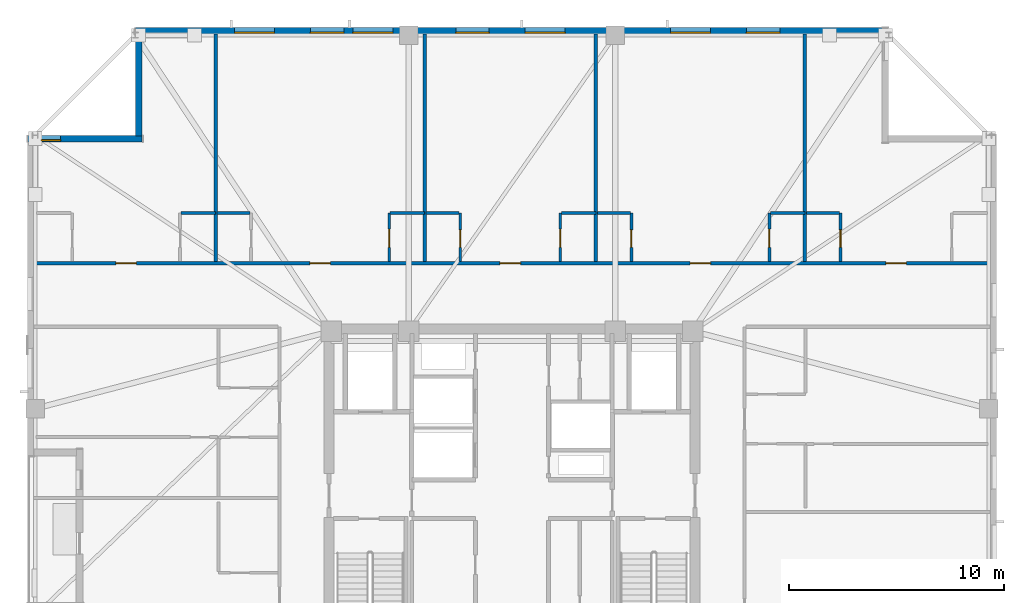
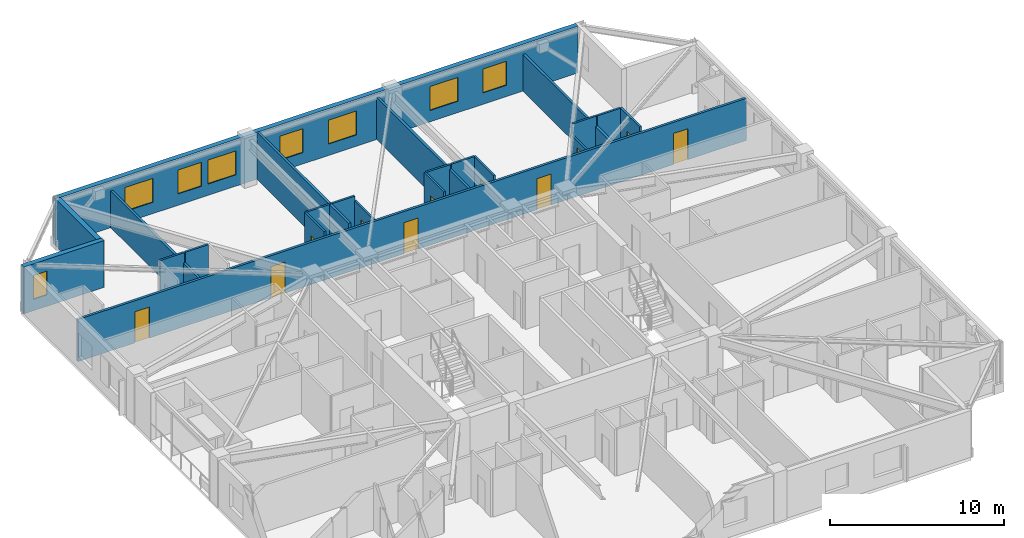
# One storey, part 11 of 17: 22 walls, 11 doors, 8 windows, 19 openings.
"""IFC4 building model written with IfcOpenShell, lengths in metres."""

from ifc_helpers import new_model, si_unit, direction, frame, frame_2d, origin, place, context, subcontext, project, spatial, rectangle, extrude, material, layer, layer_set, type_object, element, fill, save


model = new_model("IFC4")

# Units and contexts
model_context = context("Model", 3, precision=1e-05, world=origin(), true_north=direction((0.0, 1.0)))
body_context = subcontext(model_context, "Body", "Model", "MODEL_VIEW")
ifc_project = project(units=[si_unit("LENGTHUNIT", "METRE"), si_unit("AREAUNIT", "SQUARE_METRE"), si_unit("VOLUMEUNIT", "CUBIC_METRE"), si_unit("PLANEANGLEUNIT", "RADIAN"), si_unit("MASSUNIT", "GRAM", prefix="KILO")], contexts=[model_context])

# Site, building, storey
site_placement = place(None, origin())
site = spatial("IfcSite", under=ifc_project, at=site_placement, CompositionType="ELEMENT")
building_placement = place(site_placement, origin())
building = spatial("IfcBuilding", under=site, at=building_placement, Name="Cairnveth Concourse Tower", CompositionType="ELEMENT")
storey_placement = place(building_placement, frame((0.0, 0.0, 237.5)))
storey = spatial("IfcBuildingStorey", under=building, at=storey_placement, Name="L65", CompositionType="ELEMENT", Elevation=237.5)

# Wall, openings, doors
ifc_material_1 = material(Name="Gypsum Plasterboard Partition", Category="gypsum")
ifc_layer_1 = layer(ifc_material_1, 0.159912109375)
ifc_layer_set_1 = layer_set([ifc_layer_1], Name="Gypsum Plasterboard Partition")
wall_type_1 = type_object("IfcWallType", Name="ACOUSTIC PARTY WALL 180", PredefinedType="PARTITIONING", material=ifc_layer_set_1)
wall_1_placement = place(storey_placement, frame((29.804931640625, 50.5576171875, 0.0), z_axis=(0.0, 0.0, 1.0), x_axis=(1.0, 0.0, 0.0)))
wall_1 = element("IfcWall", 1, at=wall_1_placement, inside=storey, type_object=wall_type_1, Name="Interior Wall IW-L65-037", PredefinedType="PARTITIONING", context=body_context, shape_type="SweptSolid", body=[
    extrude(rectangle(XDim=44.39013671875, YDim=0.159912109375, at=frame_2d((22.195068359375, 0.0))), origin(), (0.0, 0.0, 1.0), 2.9580078125),
])
opening_1_placement = place(wall_1_placement, frame((3.791015625, 0.0, 0.0)))
opening_1 = element("IfcOpeningElement", 2, at=opening_1_placement, cuts=wall_1, Name="Opening ID10", PredefinedType="OPENING", context=body_context, shape_type="SweptSolid", body=[
    extrude(rectangle(XDim=0.9599609375, YDim=2.179931640625, at=frame_2d((0.47998046875, 1.08984375))), frame((0.0, 0.08984375, 0.0), z_axis=(0.0, -1.0, 0.0), x_axis=(1.0, 0.0, 0.0)), (0.0, 0.0, 1.0), 0.179931640625),
])
opening_2_placement = place(wall_1_placement, frame((12.802978515625, 0.0, 0.0)))
opening_2 = element("IfcOpeningElement", 3, at=opening_2_placement, cuts=wall_1, Name="Opening ID10", PredefinedType="OPENING", context=body_context, shape_type="SweptSolid", body=[
    extrude(rectangle(XDim=0.9599609375, YDim=2.179931640625, at=frame_2d((0.47998046875, 1.08984375))), frame((0.0, 0.08984375, 0.0), z_axis=(0.0, -1.0, 0.0), x_axis=(1.0, 0.0, 0.0)), (0.0, 0.0, 1.0), 0.179931640625),
])
opening_3_placement = place(wall_1_placement, frame((21.635009765625, 0.0, 0.0)))
opening_3 = element("IfcOpeningElement", 4, at=opening_3_placement, cuts=wall_1, Name="Opening ID10", PredefinedType="OPENING", context=body_context, shape_type="SweptSolid", body=[
    extrude(rectangle(XDim=0.9599609375, YDim=2.179931640625, at=frame_2d((0.47998046875, 1.08984375))), frame((0.0, 0.08984375, 0.0), z_axis=(0.0, -1.0, 0.0), x_axis=(1.0, 0.0, 0.0)), (0.0, 0.0, 1.0), 0.179931640625),
])
opening_4_placement = place(wall_1_placement, frame((30.467041015625, 0.0, 0.0)))
opening_4 = element("IfcOpeningElement", 5, at=opening_4_placement, cuts=wall_1, Name="Opening ID10", PredefinedType="OPENING", context=body_context, shape_type="SweptSolid", body=[
    extrude(rectangle(XDim=0.9599609375, YDim=2.179931640625, at=frame_2d((0.47998046875, 1.08984375))), frame((0.0, 0.08984375, 0.0), z_axis=(0.0, -1.0, 0.0), x_axis=(1.0, 0.0, 0.0)), (0.0, 0.0, 1.0), 0.179931640625),
])
opening_5_placement = place(wall_1_placement, frame((39.55908203125, 0.0, 0.0)))
opening_5 = element("IfcOpeningElement", 6, at=opening_5_placement, cuts=wall_1, Name="Opening ID10", PredefinedType="OPENING", context=body_context, shape_type="SweptSolid", body=[
    extrude(rectangle(XDim=0.9599609375, YDim=2.179931640625, at=frame_2d((0.47998046875, 1.08984375))), frame((0.0, 0.08984375, 0.0), z_axis=(0.0, -1.0, 0.0), x_axis=(1.0, 0.0, 0.0)), (0.0, 0.0, 1.0), 0.179931640625),
])
ifc_material_2 = material(Name="Solid Core Hardwood Timber Leaf", Category="wood")
door_type_1 = type_object("IfcDoorType", Name="FLAT ENTRANCE DOOR 960X2150", OperationType="NOTDEFINED", PredefinedType="DOOR", material=ifc_material_2)
door_1_placement = place(opening_1_placement, origin())
door_1 = element("IfcDoor", 7, at=door_1_placement, inside=storey, type_object=door_type_1, Name="Studio L65STN1 Entrance Door", OperationType="SINGLE_SWING_LEFT", OverallHeight=2.179931640625, OverallWidth=0.9599609375, PredefinedType="DOOR", context=body_context, shape_type="SweptSolid", body=[
    extrude(rectangle(XDim=0.9599609375, YDim=2.179931640625, at=frame_2d((0.47998046875, 1.08984375))), frame((0.0, 0.02490234375, 0.0), z_axis=(0.0, -1.0, 0.0), x_axis=(1.0, 0.0, 0.0)), (0.0, 0.0, 1.0), 0.050048828125),
])
fill(opening_1, door_1)
door_2_placement = place(opening_2_placement, origin())
door_2 = element("IfcDoor", 8, at=door_2_placement, inside=storey, type_object=door_type_1, Name="Studio L65STN2 Entrance Door", OperationType="SINGLE_SWING_RIGHT", OverallHeight=2.179931640625, OverallWidth=0.9599609375, PredefinedType="DOOR", context=body_context, shape_type="SweptSolid", body=[
    extrude(rectangle(XDim=0.9599609375, YDim=2.179931640625, at=frame_2d((0.47998046875, 1.08984375))), frame((0.0, 0.02490234375, 0.0), z_axis=(0.0, -1.0, 0.0), x_axis=(1.0, 0.0, 0.0)), (0.0, 0.0, 1.0), 0.050048828125),
])
fill(opening_2, door_2)
door_3_placement = place(opening_3_placement, origin())
door_3 = element("IfcDoor", 9, at=door_3_placement, inside=storey, type_object=door_type_1, Name="Studio L65STN3 Entrance Door", OperationType="SINGLE_SWING_LEFT", OverallHeight=2.179931640625, OverallWidth=0.9599609375, PredefinedType="DOOR", context=body_context, shape_type="SweptSolid", body=[
    extrude(rectangle(XDim=0.9599609375, YDim=2.179931640625, at=frame_2d((0.47998046875, 1.08984375))), frame((0.0, 0.02490234375, 0.0), z_axis=(0.0, -1.0, 0.0), x_axis=(1.0, 0.0, 0.0)), (0.0, 0.0, 1.0), 0.050048828125),
])
fill(opening_3, door_3)
door_4_placement = place(opening_4_placement, origin())
door_4 = element("IfcDoor", 10, at=door_4_placement, inside=storey, type_object=door_type_1, Name="Studio L65STN4 Entrance Door", OperationType="SINGLE_SWING_RIGHT", OverallHeight=2.179931640625, OverallWidth=0.9599609375, PredefinedType="DOOR", context=body_context, shape_type="SweptSolid", body=[
    extrude(rectangle(XDim=0.9599609375, YDim=2.179931640625, at=frame_2d((0.47998046875, 1.08984375))), frame((0.0, 0.02490234375, 0.0), z_axis=(0.0, -1.0, 0.0), x_axis=(1.0, 0.0, 0.0)), (0.0, 0.0, 1.0), 0.050048828125),
])
fill(opening_4, door_4)
door_5_placement = place(opening_5_placement, origin())
door_5 = element("IfcDoor", 11, at=door_5_placement, inside=storey, type_object=door_type_1, Name="Studio L65STN5 Entrance Door", OperationType="SINGLE_SWING_LEFT", OverallHeight=2.179931640625, OverallWidth=0.9599609375, PredefinedType="DOOR", context=body_context, shape_type="SweptSolid", body=[
    extrude(rectangle(XDim=0.9599609375, YDim=2.179931640625, at=frame_2d((0.47998046875, 1.08984375))), frame((0.0, 0.02490234375, 0.0), z_axis=(0.0, -1.0, 0.0), x_axis=(1.0, 0.0, 0.0)), (0.0, 0.0, 1.0), 0.050048828125),
])
fill(opening_5, door_5)

# Walls
wall_2_placement = place(storey_placement, frame((38.23193359375, 50.637451171875, 0.0), z_axis=(0.0, 0.0, 1.0), x_axis=(0.0, 1.0, 0.0)))
element("IfcWall", 12, at=wall_2_placement, inside=storey, type_object=wall_type_1, Name="Interior Wall IW-L65-077", PredefinedType="PARTITIONING", context=body_context, shape_type="SweptSolid", body=[
    extrude(rectangle(XDim=10.5576171875, YDim=0.159912109375, at=frame_2d((5.27880859375, 0.0))), origin(), (0.0, 0.0, 1.0), 2.572998046875),
])
wall_3_placement = place(storey_placement, frame((47.944091796875, 50.637451171875, 0.0), z_axis=(0.0, 0.0, 1.0), x_axis=(0.0, 1.0, 0.0)))
element("IfcWall", 13, at=wall_3_placement, inside=storey, type_object=wall_type_1, Name="Interior Wall IW-L65-082", PredefinedType="PARTITIONING", context=body_context, shape_type="SweptSolid", body=[
    extrude(rectangle(XDim=10.5576171875, YDim=0.159912109375, at=frame_2d((5.27880859375, 0.0))), origin(), (0.0, 0.0, 1.0), 3.2900390625),
])
wall_4_placement = place(storey_placement, frame((55.89599609375, 50.637451171875, 0.0), z_axis=(0.0, 0.0, 1.0), x_axis=(0.0, 1.0, 0.0)))
element("IfcWall", 14, at=wall_4_placement, inside=storey, type_object=wall_type_1, Name="Interior Wall IW-L65-087", PredefinedType="PARTITIONING", context=body_context, shape_type="SweptSolid", body=[
    extrude(rectangle(XDim=10.5576171875, YDim=0.159912109375, at=frame_2d((5.27880859375, 0.0))), origin(), (0.0, 0.0, 1.0), 2.9580078125),
])
wall_5_placement = place(storey_placement, frame((65.60791015625, 50.637451171875, 0.0), z_axis=(0.0, 0.0, 1.0), x_axis=(0.0, 1.0, 0.0)))
element("IfcWall", 15, at=wall_5_placement, inside=storey, type_object=wall_type_1, Name="Interior Wall IW-L65-092", PredefinedType="PARTITIONING", context=body_context, shape_type="SweptSolid", body=[
    extrude(rectangle(XDim=10.5576171875, YDim=0.159912109375, at=frame_2d((5.27880859375, 0.0))), origin(), (0.0, 0.0, 1.0), 2.572998046875),
])
ifc_layer_2 = layer(ifc_material_1, 0.1298828125)
ifc_layer_set_2 = layer_set([ifc_layer_2], Name="Gypsum Plasterboard Partition")
wall_type_2 = type_object("IfcWallType", Name="WET AREA PARTITION 140", PredefinedType="PLUMBINGWALL", material=ifc_layer_set_2)
wall_6_placement = place(storey_placement, frame((36.632080078125, 52.887451171875, 0.0), z_axis=(0.0, 0.0, 1.0), x_axis=(1.0, 0.0, 0.0)))
element("IfcWall", 16, at=wall_6_placement, inside=storey, type_object=wall_type_2, Name="Interior Wall IW-L65-076", PredefinedType="PLUMBINGWALL", context=body_context, shape_type="SweptSolid", body=[
    extrude(rectangle(XDim=1.599853515625, YDim=0.1298828125, at=frame_2d((0.7998046875, 0.0))), origin(), (0.0, 0.0, 1.0), 3.2900390625),
])
wall_7_placement = place(storey_placement, frame((38.297119140625, 52.887451171875, 0.0), z_axis=(0.0, 0.0, 1.0), x_axis=(1.0, 0.0, 0.0)))
element("IfcWall", 17, at=wall_7_placement, inside=storey, type_object=wall_type_2, Name="Interior Wall IW-L65-079", PredefinedType="PLUMBINGWALL", context=body_context, shape_type="SweptSolid", body=[
    extrude(rectangle(XDim=1.534912109375, YDim=0.1298828125, at=frame_2d((0.767578125, 0.0))), origin(), (0.0, 0.0, 1.0), 3.2900390625),
])

# Wall, opening, door
wall_8_placement = place(storey_placement, frame((46.2939453125, 50.637451171875, 0.0), z_axis=(0.0, 0.0, 1.0), x_axis=(0.0, 1.0, 0.0)))
wall_8 = element("IfcWall", 18, at=wall_8_placement, inside=storey, type_object=wall_type_2, Name="Interior Wall IW-L65-080", PredefinedType="PLUMBINGWALL", context=body_context, shape_type="SweptSolid", body=[
    extrude(rectangle(XDim=2.25, YDim=0.1298828125, at=frame_2d((1.125, 0.0))), origin(), (0.0, 0.0, 1.0), 3.2900390625),
])
opening_6_placement = place(wall_8_placement, frame((0.64990234375, 0.0, 0.0)))
opening_6 = element("IfcOpeningElement", 19, at=opening_6_placement, cuts=wall_8, Name="Opening ID20", PredefinedType="OPENING", context=body_context, shape_type="SweptSolid", body=[
    extrude(rectangle(XDim=0.85009765625, YDim=2.10009765625, at=frame_2d((0.425048828125, 1.050048828125))), frame((0.0, 0.074951171875, 0.0), z_axis=(0.0, -1.0, 0.0), x_axis=(1.0, 0.0, 0.0)), (0.0, 0.0, 1.0), 0.14990234375),
])
door_type_2 = type_object("IfcDoorType", Name="INTERIOR SINGLE DOOR 850X2100", OperationType="NOTDEFINED", PredefinedType="DOOR", material=ifc_material_2)
door_6_placement = place(opening_6_placement, origin())
door_6 = element("IfcDoor", 20, at=door_6_placement, inside=storey, type_object=door_type_2, Name="L65STN2 Kitchen Door", OperationType="SINGLE_SWING_LEFT", OverallHeight=2.10009765625, OverallWidth=0.85009765625, PredefinedType="DOOR", context=body_context, shape_type="SweptSolid", body=[
    extrude(rectangle(XDim=0.85009765625, YDim=2.10009765625, at=frame_2d((0.425048828125, 1.050048828125))), frame((0.0, 0.02490234375, 0.0), z_axis=(0.0, -1.0, 0.0), x_axis=(1.0, 0.0, 0.0)), (0.0, 0.0, 1.0), 0.050048828125),
])
fill(opening_6, door_6)

# Wall
wall_9_placement = place(storey_placement, frame((46.343994140625, 52.887451171875, 0.0), z_axis=(0.0, 0.0, 1.0), x_axis=(1.0, 0.0, 0.0)))
element("IfcWall", 21, at=wall_9_placement, inside=storey, type_object=wall_type_2, Name="Interior Wall IW-L65-081", PredefinedType="PLUMBINGWALL", context=body_context, shape_type="SweptSolid", body=[
    extrude(rectangle(XDim=1.60009765625, YDim=0.1298828125, at=frame_2d((0.800048828125, 0.0))), origin(), (0.0, 0.0, 1.0), 3.2900390625),
])

# Wall, opening, door
wall_10_placement = place(storey_placement, frame((49.593994140625, 50.637451171875, 0.0), z_axis=(0.0, 0.0, 1.0), x_axis=(0.0, 1.0, 0.0)))
wall_10 = element("IfcWall", 22, at=wall_10_placement, inside=storey, type_object=wall_type_2, Name="Interior Wall IW-L65-083", PredefinedType="PLUMBINGWALL", context=body_context, shape_type="SweptSolid", body=[
    extrude(rectangle(XDim=2.25, YDim=0.1298828125, at=frame_2d((1.125, 0.0))), origin(), (0.0, 0.0, 1.0), 2.9580078125),
])
opening_7_placement = place(wall_10_placement, frame((0.64990234375, 0.0, 0.0)))
opening_7 = element("IfcOpeningElement", 23, at=opening_7_placement, cuts=wall_10, Name="Opening ID22", PredefinedType="OPENING", context=body_context, shape_type="SweptSolid", body=[
    extrude(rectangle(XDim=0.820068359375, YDim=2.10009765625, at=frame_2d((0.41015625, 1.050048828125))), frame((0.0, 0.074951171875, 0.0), z_axis=(0.0, -1.0, 0.0), x_axis=(1.0, 0.0, 0.0)), (0.0, 0.0, 1.0), 0.14990234375),
])
door_type_3 = type_object("IfcDoorType", Name="INTERIOR WC DOOR 820X2100", OperationType="NOTDEFINED", PredefinedType="DOOR", material=ifc_material_2)
door_7_placement = place(opening_7_placement, origin())
door_7 = element("IfcDoor", 24, at=door_7_placement, inside=storey, type_object=door_type_3, Name="L65STN3 Bathroom Door", OperationType="SINGLE_SWING_LEFT", OverallHeight=2.10009765625, OverallWidth=0.820068359375, PredefinedType="DOOR", context=body_context, shape_type="SweptSolid", body=[
    extrude(rectangle(XDim=0.820068359375, YDim=2.10009765625, at=frame_2d((0.41015625, 1.050048828125))), frame((0.0, 0.02490234375, 0.0), z_axis=(0.0, -1.0, 0.0), x_axis=(1.0, 0.0, 0.0)), (0.0, 0.0, 1.0), 0.050048828125),
])
fill(opening_7, door_7)

# Wall
wall_11_placement = place(storey_placement, frame((48.009033203125, 52.887451171875, 0.0), z_axis=(0.0, 0.0, 1.0), x_axis=(1.0, 0.0, 0.0)))
element("IfcWall", 25, at=wall_11_placement, inside=storey, type_object=wall_type_2, Name="Interior Wall IW-L65-084", PredefinedType="PLUMBINGWALL", context=body_context, shape_type="SweptSolid", body=[
    extrude(rectangle(XDim=1.534912109375, YDim=0.1298828125, at=frame_2d((0.767578125, 0.0))), origin(), (0.0, 0.0, 1.0), 3.2900390625),
])

# Wall, opening, door
wall_12_placement = place(storey_placement, frame((54.24609375, 50.637451171875, 0.0), z_axis=(0.0, 0.0, 1.0), x_axis=(0.0, 1.0, 0.0)))
wall_12 = element("IfcWall", 26, at=wall_12_placement, inside=storey, type_object=wall_type_2, Name="Interior Wall IW-L65-085", PredefinedType="PLUMBINGWALL", context=body_context, shape_type="SweptSolid", body=[
    extrude(rectangle(XDim=2.25, YDim=0.1298828125, at=frame_2d((1.125, 0.0))), origin(), (0.0, 0.0, 1.0), 3.2900390625),
])
opening_8_placement = place(wall_12_placement, frame((0.64990234375, 0.0, 0.0)))
opening_8 = element("IfcOpeningElement", 27, at=opening_8_placement, cuts=wall_12, Name="Opening ID20", PredefinedType="OPENING", context=body_context, shape_type="SweptSolid", body=[
    extrude(rectangle(XDim=0.85009765625, YDim=2.10009765625, at=frame_2d((0.425048828125, 1.050048828125))), frame((0.0, 0.074951171875, 0.0), z_axis=(0.0, -1.0, 0.0), x_axis=(1.0, 0.0, 0.0)), (0.0, 0.0, 1.0), 0.14990234375),
])
door_8_placement = place(opening_8_placement, origin())
door_8 = element("IfcDoor", 28, at=door_8_placement, inside=storey, type_object=door_type_2, Name="L65STN3 Kitchen Door", OperationType="SINGLE_SWING_RIGHT", OverallHeight=2.10009765625, OverallWidth=0.85009765625, PredefinedType="DOOR", context=body_context, shape_type="SweptSolid", body=[
    extrude(rectangle(XDim=0.85009765625, YDim=2.10009765625, at=frame_2d((0.425048828125, 1.050048828125))), frame((0.0, 0.02490234375, 0.0), z_axis=(0.0, -1.0, 0.0), x_axis=(1.0, 0.0, 0.0)), (0.0, 0.0, 1.0), 0.050048828125),
])
fill(opening_8, door_8)

# Wall
wall_13_placement = place(storey_placement, frame((54.2958984375, 52.887451171875, 0.0), z_axis=(0.0, 0.0, 1.0), x_axis=(1.0, 0.0, 0.0)))
element("IfcWall", 29, at=wall_13_placement, inside=storey, type_object=wall_type_2, Name="Interior Wall IW-L65-086", PredefinedType="PLUMBINGWALL", context=body_context, shape_type="SweptSolid", body=[
    extrude(rectangle(XDim=1.60009765625, YDim=0.1298828125, at=frame_2d((0.800048828125, 0.0))), origin(), (0.0, 0.0, 1.0), 3.2900390625),
])

# Wall, opening, door
wall_14_placement = place(storey_placement, frame((57.5458984375, 50.637451171875, 0.0), z_axis=(0.0, 0.0, 1.0), x_axis=(0.0, 1.0, 0.0)))
wall_14 = element("IfcWall", 30, at=wall_14_placement, inside=storey, type_object=wall_type_2, Name="Interior Wall IW-L65-088", PredefinedType="PLUMBINGWALL", context=body_context, shape_type="SweptSolid", body=[
    extrude(rectangle(XDim=2.25, YDim=0.1298828125, at=frame_2d((1.125, 0.0))), origin(), (0.0, 0.0, 1.0), 3.2900390625),
])
opening_9_placement = place(wall_14_placement, frame((0.64990234375, 0.0, 0.0)))
opening_9 = element("IfcOpeningElement", 31, at=opening_9_placement, cuts=wall_14, Name="Opening ID22", PredefinedType="OPENING", context=body_context, shape_type="SweptSolid", body=[
    extrude(rectangle(XDim=0.820068359375, YDim=2.10009765625, at=frame_2d((0.41015625, 1.050048828125))), frame((0.0, 0.074951171875, 0.0), z_axis=(0.0, -1.0, 0.0), x_axis=(1.0, 0.0, 0.0)), (0.0, 0.0, 1.0), 0.14990234375),
])
door_9_placement = place(opening_9_placement, origin())
door_9 = element("IfcDoor", 32, at=door_9_placement, inside=storey, type_object=door_type_3, Name="L65STN4 Bathroom Door", OperationType="SINGLE_SWING_RIGHT", OverallHeight=2.10009765625, OverallWidth=0.820068359375, PredefinedType="DOOR", context=body_context, shape_type="SweptSolid", body=[
    extrude(rectangle(XDim=0.820068359375, YDim=2.10009765625, at=frame_2d((0.41015625, 1.050048828125))), frame((0.0, 0.02490234375, 0.0), z_axis=(0.0, -1.0, 0.0), x_axis=(1.0, 0.0, 0.0)), (0.0, 0.0, 1.0), 0.050048828125),
])
fill(opening_9, door_9)

# Wall
wall_15_placement = place(storey_placement, frame((55.9609375, 52.887451171875, 0.0), z_axis=(0.0, 0.0, 1.0), x_axis=(1.0, 0.0, 0.0)))
element("IfcWall", 33, at=wall_15_placement, inside=storey, type_object=wall_type_2, Name="Interior Wall IW-L65-089", PredefinedType="PLUMBINGWALL", context=body_context, shape_type="SweptSolid", body=[
    extrude(rectangle(XDim=1.53515625, YDim=0.1298828125, at=frame_2d((0.767578125, 0.0))), origin(), (0.0, 0.0, 1.0), 3.2900390625),
])

# Wall, opening, door
wall_16_placement = place(storey_placement, frame((63.9580078125, 50.637451171875, 0.0), z_axis=(0.0, 0.0, 1.0), x_axis=(0.0, 1.0, 0.0)))
wall_16 = element("IfcWall", 34, at=wall_16_placement, inside=storey, type_object=wall_type_2, Name="Interior Wall IW-L65-090", PredefinedType="PLUMBINGWALL", context=body_context, shape_type="SweptSolid", body=[
    extrude(rectangle(XDim=2.25, YDim=0.1298828125, at=frame_2d((1.125, 0.0))), origin(), (0.0, 0.0, 1.0), 2.572998046875),
])
opening_10_placement = place(wall_16_placement, frame((0.64990234375, 0.0, 0.0)))
opening_10 = element("IfcOpeningElement", 35, at=opening_10_placement, cuts=wall_16, Name="Opening ID20", PredefinedType="OPENING", context=body_context, shape_type="SweptSolid", body=[
    extrude(rectangle(XDim=0.85009765625, YDim=2.10009765625, at=frame_2d((0.425048828125, 1.050048828125))), frame((0.0, 0.074951171875, 0.0), z_axis=(0.0, -1.0, 0.0), x_axis=(1.0, 0.0, 0.0)), (0.0, 0.0, 1.0), 0.14990234375),
])
door_10_placement = place(opening_10_placement, origin())
door_10 = element("IfcDoor", 36, at=door_10_placement, inside=storey, type_object=door_type_2, Name="L65STN4 Kitchen Door", OperationType="SINGLE_SWING_LEFT", OverallHeight=2.10009765625, OverallWidth=0.85009765625, PredefinedType="DOOR", context=body_context, shape_type="SweptSolid", body=[
    extrude(rectangle(XDim=0.85009765625, YDim=2.10009765625, at=frame_2d((0.425048828125, 1.050048828125))), frame((0.0, 0.02490234375, 0.0), z_axis=(0.0, -1.0, 0.0), x_axis=(1.0, 0.0, 0.0)), (0.0, 0.0, 1.0), 0.050048828125),
])
fill(opening_10, door_10)

# Wall
wall_17_placement = place(storey_placement, frame((64.008056640625, 52.887451171875, 0.0), z_axis=(0.0, 0.0, 1.0), x_axis=(1.0, 0.0, 0.0)))
element("IfcWall", 37, at=wall_17_placement, inside=storey, type_object=wall_type_2, Name="Interior Wall IW-L65-091", PredefinedType="PLUMBINGWALL", context=body_context, shape_type="SweptSolid", body=[
    extrude(rectangle(XDim=1.599853515625, YDim=0.1298828125, at=frame_2d((0.7998046875, 0.0))), origin(), (0.0, 0.0, 1.0), 3.2900390625),
])

# Wall, opening, door
wall_18_placement = place(storey_placement, frame((67.258056640625, 50.637451171875, 0.0), z_axis=(0.0, 0.0, 1.0), x_axis=(0.0, 1.0, 0.0)))
wall_18 = element("IfcWall", 38, at=wall_18_placement, inside=storey, type_object=wall_type_2, Name="Interior Wall IW-L65-093", PredefinedType="PLUMBINGWALL", context=body_context, shape_type="SweptSolid", body=[
    extrude(rectangle(XDim=2.25, YDim=0.1298828125, at=frame_2d((1.125, 0.0))), origin(), (0.0, 0.0, 1.0), 3.2900390625),
])
opening_11_placement = place(wall_18_placement, frame((0.64990234375, 0.0, 0.0)))
opening_11 = element("IfcOpeningElement", 39, at=opening_11_placement, cuts=wall_18, Name="Opening ID22", PredefinedType="OPENING", context=body_context, shape_type="SweptSolid", body=[
    extrude(rectangle(XDim=0.820068359375, YDim=2.10009765625, at=frame_2d((0.41015625, 1.050048828125))), frame((0.0, 0.074951171875, 0.0), z_axis=(0.0, -1.0, 0.0), x_axis=(1.0, 0.0, 0.0)), (0.0, 0.0, 1.0), 0.14990234375),
])
door_11_placement = place(opening_11_placement, origin())
door_11 = element("IfcDoor", 40, at=door_11_placement, inside=storey, type_object=door_type_3, Name="L65STN5 Bathroom Door", OperationType="SINGLE_SWING_LEFT", OverallHeight=2.10009765625, OverallWidth=0.820068359375, PredefinedType="DOOR", context=body_context, shape_type="SweptSolid", body=[
    extrude(rectangle(XDim=0.820068359375, YDim=2.10009765625, at=frame_2d((0.41015625, 1.050048828125))), frame((0.0, 0.02490234375, 0.0), z_axis=(0.0, -1.0, 0.0), x_axis=(1.0, 0.0, 0.0)), (0.0, 0.0, 1.0), 0.050048828125),
])
fill(opening_11, door_11)

# Wall
wall_19_placement = place(storey_placement, frame((65.673095703125, 52.887451171875, 0.0), z_axis=(0.0, 0.0, 1.0), x_axis=(1.0, 0.0, 0.0)))
element("IfcWall", 41, at=wall_19_placement, inside=storey, type_object=wall_type_2, Name="Interior Wall IW-L65-094", PredefinedType="PLUMBINGWALL", context=body_context, shape_type="SweptSolid", body=[
    extrude(rectangle(XDim=1.534912109375, YDim=0.1298828125, at=frame_2d((0.767578125, 0.0))), origin(), (0.0, 0.0, 1.0), 3.2900390625),
])

# Wall, opening, window
ifc_material_3 = material(Name="Melbourne Buff Fired Clay Brick Masonry", Category="masonry")
ifc_layer_3 = layer(ifc_material_3, 0.320068359375)
ifc_layer_set_3 = layer_set([ifc_layer_3], Name="Melbourne Buff Fired Clay Brick Masonry")
wall_type_3 = type_object("IfcWallType", Name="ZONE 3 BRICK PIER SPANDREL WALL 320", PredefinedType="SOLIDWALL", material=ifc_layer_set_3)
wall_20_placement = place(storey_placement, frame((29.5, 56.340087890625, 0.0), z_axis=(0.0, 0.0, 1.0), x_axis=(1.0, 0.0, 0.0)))
wall_20 = element("IfcWall", 42, at=wall_20_placement, inside=storey, type_object=wall_type_3, Name="Exterior Wall EW-L65-S01", PredefinedType="SOLIDWALL", context=body_context, shape_type="SweptSolid", body=[
    extrude(rectangle(XDim=5.320068359375, YDim=0.320068359375, at=frame_2d((2.66015625, 0.0))), origin(), (0.0, 0.0, 1.0), 3.2900390625),
])
opening_12_placement = place(wall_20_placement, frame((0.6298828125, 0.0, 0.800048828125)))
opening_12 = element("IfcOpeningElement", 43, at=opening_12_placement, cuts=wall_20, Name="Opening W13", PredefinedType="OPENING", context=body_context, shape_type="SweptSolid", body=[
    extrude(rectangle(XDim=0.89990234375, YDim=1.677978515625, at=frame_2d((0.449951171875, 0.8388671875))), frame((0.0, 0.169921875, 0.0), z_axis=(0.0, -1.0, 0.0), x_axis=(1.0, 0.0, 0.0)), (0.0, 0.0, 1.0), 0.340087890625),
])
ifc_material_4 = material(Name="Double Glazed Low-E Clear Glass", Category="glass")
window_type_1 = type_object("IfcWindowType", Name="DEEP-SET BEDROOM LANCET WINDOW 900X1750", PartitioningType="DOUBLE_PANEL_VERTICAL", PredefinedType="WINDOW", material=ifc_material_4)
window_1_placement = place(opening_12_placement, origin())
window_1 = element("IfcWindow", 44, at=window_1_placement, inside=storey, type_object=window_type_1, Name="Dwelling Lancet Window L65-DW3", OverallHeight=1.677978515625, OverallWidth=0.89990234375, PartitioningType="SINGLE_PANEL", PredefinedType="WINDOW", context=body_context, shape_type="SweptSolid", body=[
    extrude(rectangle(XDim=0.89990234375, YDim=1.677978515625, at=frame_2d((0.449951171875, 0.8388671875))), frame((0.0, -0.0400390625, 0.0), z_axis=(0.0, -1.0, 0.0), x_axis=(1.0, 0.0, 0.0)), (0.0, 0.0, 1.0), 0.06005859375),
])
fill(opening_12, window_1)

# Wall
wall_21_placement = place(storey_placement, frame((34.659912109375, 56.47802734375, 0.0), z_axis=(0.0, 0.0, 1.0), x_axis=(0.0, 1.0, 0.0)))
element("IfcWall", 45, at=wall_21_placement, inside=storey, type_object=wall_type_3, Name="Exterior Wall EW-L65-S02", PredefinedType="SOLIDWALL", context=body_context, shape_type="SweptSolid", body=[
    extrude(rectangle(XDim=4.723876953125, YDim=0.320068359375, at=frame_2d((2.36181640625, 0.0))), origin(), (0.0, 0.0, 1.0), 3.2900390625),
])

# Wall, openings, windows
wall_22_placement = place(storey_placement, frame((34.5, 61.340087890625, 0.0), z_axis=(0.0, 0.0, 1.0), x_axis=(1.0, 0.0, 0.0)))
wall_22 = element("IfcWall", 46, at=wall_22_placement, inside=storey, type_object=wall_type_3, Name="Exterior Wall EW-L65-S03", PredefinedType="SOLIDWALL", context=body_context, shape_type="SweptSolid", body=[
    extrude(rectangle(XDim=34.701904296875, YDim=0.320068359375, at=frame_2d((17.35107421875, 0.0))), origin(), (0.0, 0.0, 1.0), 3.2900390625),
])
opening_13_placement = place(wall_22_placement, frame((4.612548828125, 0.0, 0.800048828125)))
opening_13 = element("IfcOpeningElement", 47, at=opening_13_placement, cuts=wall_22, Name="Opening W08", PredefinedType="OPENING", context=body_context, shape_type="SweptSolid", body=[
    extrude(rectangle(XDim=1.85009765625, YDim=1.677978515625, at=frame_2d((0.925048828125, 0.8388671875))), frame((0.0, 0.169921875, 0.0), z_axis=(0.0, -1.0, 0.0), x_axis=(1.0, 0.0, 0.0)), (0.0, 0.0, 1.0), 0.340087890625),
])
opening_14_placement = place(wall_22_placement, frame((8.137939453125, 0.0, 0.800048828125)))
opening_14 = element("IfcOpeningElement", 48, at=opening_14_placement, cuts=wall_22, Name="Opening W07", PredefinedType="OPENING", context=body_context, shape_type="SweptSolid", body=[
    extrude(rectangle(XDim=1.550048828125, YDim=1.677978515625, at=frame_2d((0.77490234375, 0.8388671875))), frame((0.0, 0.169921875, 0.0), z_axis=(0.0, -1.0, 0.0), x_axis=(1.0, 0.0, 0.0)), (0.0, 0.0, 1.0), 0.340087890625),
])
opening_15_placement = place(wall_22_placement, frame((10.113037109375, 0.0, 0.800048828125)))
opening_15 = element("IfcOpeningElement", 49, at=opening_15_placement, cuts=wall_22, Name="Opening W08", PredefinedType="OPENING", context=body_context, shape_type="SweptSolid", body=[
    extrude(rectangle(XDim=1.85009765625, YDim=1.677978515625, at=frame_2d((0.925048828125, 0.8388671875))), frame((0.0, 0.169921875, 0.0), z_axis=(0.0, -1.0, 0.0), x_axis=(1.0, 0.0, 0.0)), (0.0, 0.0, 1.0), 0.340087890625),
])
opening_16_placement = place(wall_22_placement, frame((14.888427734375, 0.0, 0.800048828125)))
opening_16 = element("IfcOpeningElement", 50, at=opening_16_placement, cuts=wall_22, Name="Opening W07", PredefinedType="OPENING", context=body_context, shape_type="SweptSolid", body=[
    extrude(rectangle(XDim=1.550048828125, YDim=1.677978515625, at=frame_2d((0.77490234375, 0.8388671875))), frame((0.0, 0.169921875, 0.0), z_axis=(0.0, -1.0, 0.0), x_axis=(1.0, 0.0, 0.0)), (0.0, 0.0, 1.0), 0.340087890625),
])
opening_17_placement = place(wall_22_placement, frame((18.113525390625, 0.0, 0.800048828125)))
opening_17 = element("IfcOpeningElement", 51, at=opening_17_placement, cuts=wall_22, Name="Opening W08", PredefinedType="OPENING", context=body_context, shape_type="SweptSolid", body=[
    extrude(rectangle(XDim=1.85009765625, YDim=1.677978515625, at=frame_2d((0.925048828125, 0.8388671875))), frame((0.0, 0.169921875, 0.0), z_axis=(0.0, -1.0, 0.0), x_axis=(1.0, 0.0, 0.0)), (0.0, 0.0, 1.0), 0.340087890625),
])
opening_18_placement = place(wall_22_placement, frame((24.864013671875, 0.0, 0.800048828125)))
opening_18 = element("IfcOpeningElement", 52, at=opening_18_placement, cuts=wall_22, Name="Opening W08", PredefinedType="OPENING", context=body_context, shape_type="SweptSolid", body=[
    extrude(rectangle(XDim=1.85009765625, YDim=1.677978515625, at=frame_2d((0.925048828125, 0.8388671875))), frame((0.0, 0.169921875, 0.0), z_axis=(0.0, -1.0, 0.0), x_axis=(1.0, 0.0, 0.0)), (0.0, 0.0, 1.0), 0.340087890625),
])
opening_19_placement = place(wall_22_placement, frame((28.389404296875, 0.0, 0.800048828125)))
opening_19 = element("IfcOpeningElement", 53, at=opening_19_placement, cuts=wall_22, Name="Opening W07", PredefinedType="OPENING", context=body_context, shape_type="SweptSolid", body=[
    extrude(rectangle(XDim=1.550048828125, YDim=1.677978515625, at=frame_2d((0.77490234375, 0.8388671875))), frame((0.0, 0.169921875, 0.0), z_axis=(0.0, -1.0, 0.0), x_axis=(1.0, 0.0, 0.0)), (0.0, 0.0, 1.0), 0.340087890625),
])
window_type_2 = type_object("IfcWindowType", Name="DEEP-SET APARTMENT LIVING WINDOW 1850X1850", PartitioningType="DOUBLE_PANEL_VERTICAL", PredefinedType="WINDOW", material=ifc_material_4)
window_2_placement = place(opening_13_placement, origin())
window_2 = element("IfcWindow", 54, at=window_2_placement, inside=storey, type_object=window_type_2, Name="Gothic Lancet Window L65-3-1", OverallHeight=1.677978515625, OverallWidth=1.85009765625, PartitioningType="SINGLE_PANEL", PredefinedType="WINDOW", context=body_context, shape_type="SweptSolid", body=[
    extrude(rectangle(XDim=1.85009765625, YDim=1.677978515625, at=frame_2d((0.925048828125, 0.8388671875))), frame((0.0, -0.050048828125, 0.0), z_axis=(0.0, -1.0, 0.0), x_axis=(1.0, 0.0, 0.0)), (0.0, 0.0, 1.0), 0.06005859375),
])
fill(opening_13, window_2)
window_3_placement = place(opening_15_placement, origin())
window_3 = element("IfcWindow", 55, at=window_3_placement, inside=storey, type_object=window_type_2, Name="Gothic Lancet Window L65-3-3", OverallHeight=1.677978515625, OverallWidth=1.85009765625, PartitioningType="SINGLE_PANEL", PredefinedType="WINDOW", context=body_context, shape_type="SweptSolid", body=[
    extrude(rectangle(XDim=1.85009765625, YDim=1.677978515625, at=frame_2d((0.925048828125, 0.8388671875))), frame((0.0, -0.050048828125, 0.0), z_axis=(0.0, -1.0, 0.0), x_axis=(1.0, 0.0, 0.0)), (0.0, 0.0, 1.0), 0.06005859375),
])
fill(opening_15, window_3)
window_4_placement = place(opening_17_placement, origin())
window_4 = element("IfcWindow", 56, at=window_4_placement, inside=storey, type_object=window_type_2, Name="Gothic Lancet Window L65-3-5", OverallHeight=1.677978515625, OverallWidth=1.85009765625, PartitioningType="SINGLE_PANEL", PredefinedType="WINDOW", context=body_context, shape_type="SweptSolid", body=[
    extrude(rectangle(XDim=1.85009765625, YDim=1.677978515625, at=frame_2d((0.925048828125, 0.8388671875))), frame((0.0, -0.050048828125, 0.0), z_axis=(0.0, -1.0, 0.0), x_axis=(1.0, 0.0, 0.0)), (0.0, 0.0, 1.0), 0.06005859375),
])
fill(opening_17, window_4)
window_5_placement = place(opening_18_placement, origin())
window_5 = element("IfcWindow", 57, at=window_5_placement, inside=storey, type_object=window_type_2, Name="Gothic Lancet Window L65-3-7", OverallHeight=1.677978515625, OverallWidth=1.85009765625, PartitioningType="SINGLE_PANEL", PredefinedType="WINDOW", context=body_context, shape_type="SweptSolid", body=[
    extrude(rectangle(XDim=1.85009765625, YDim=1.677978515625, at=frame_2d((0.925048828125, 0.8388671875))), frame((0.0, -0.050048828125, 0.0), z_axis=(0.0, -1.0, 0.0), x_axis=(1.0, 0.0, 0.0)), (0.0, 0.0, 1.0), 0.06005859375),
])
fill(opening_18, window_5)
window_type_3 = type_object("IfcWindowType", Name="DEEP-SET APARTMENT WINDOW 1550X1800", PartitioningType="DOUBLE_PANEL_VERTICAL", PredefinedType="WINDOW", material=ifc_material_4)
window_6_placement = place(opening_14_placement, origin())
window_6 = element("IfcWindow", 58, at=window_6_placement, inside=storey, type_object=window_type_3, Name="Gothic Lancet Window L65-3-2", OverallHeight=1.677978515625, OverallWidth=1.550048828125, PartitioningType="SINGLE_PANEL", PredefinedType="WINDOW", context=body_context, shape_type="SweptSolid", body=[
    extrude(rectangle(XDim=1.550048828125, YDim=1.677978515625, at=frame_2d((0.77490234375, 0.8388671875))), frame((0.0, -0.050048828125, 0.0), z_axis=(0.0, -1.0, 0.0), x_axis=(1.0, 0.0, 0.0)), (0.0, 0.0, 1.0), 0.06005859375),
])
fill(opening_14, window_6)
window_7_placement = place(opening_16_placement, origin())
window_7 = element("IfcWindow", 59, at=window_7_placement, inside=storey, type_object=window_type_3, Name="Gothic Lancet Window L65-3-4", OverallHeight=1.677978515625, OverallWidth=1.550048828125, PartitioningType="SINGLE_PANEL", PredefinedType="WINDOW", context=body_context, shape_type="SweptSolid", body=[
    extrude(rectangle(XDim=1.550048828125, YDim=1.677978515625, at=frame_2d((0.77490234375, 0.8388671875))), frame((0.0, -0.050048828125, 0.0), z_axis=(0.0, -1.0, 0.0), x_axis=(1.0, 0.0, 0.0)), (0.0, 0.0, 1.0), 0.06005859375),
])
fill(opening_16, window_7)
window_8_placement = place(opening_19_placement, origin())
window_8 = element("IfcWindow", 60, at=window_8_placement, inside=storey, type_object=window_type_3, Name="Gothic Lancet Window L65-3-8", OverallHeight=1.677978515625, OverallWidth=1.550048828125, PartitioningType="SINGLE_PANEL", PredefinedType="WINDOW", context=body_context, shape_type="SweptSolid", body=[
    extrude(rectangle(XDim=1.550048828125, YDim=1.677978515625, at=frame_2d((0.77490234375, 0.8388671875))), frame((0.0, -0.050048828125, 0.0), z_axis=(0.0, -1.0, 0.0), x_axis=(1.0, 0.0, 0.0)), (0.0, 0.0, 1.0), 0.06005859375),
])
fill(opening_19, window_8)

save(model, "model.ifc")
